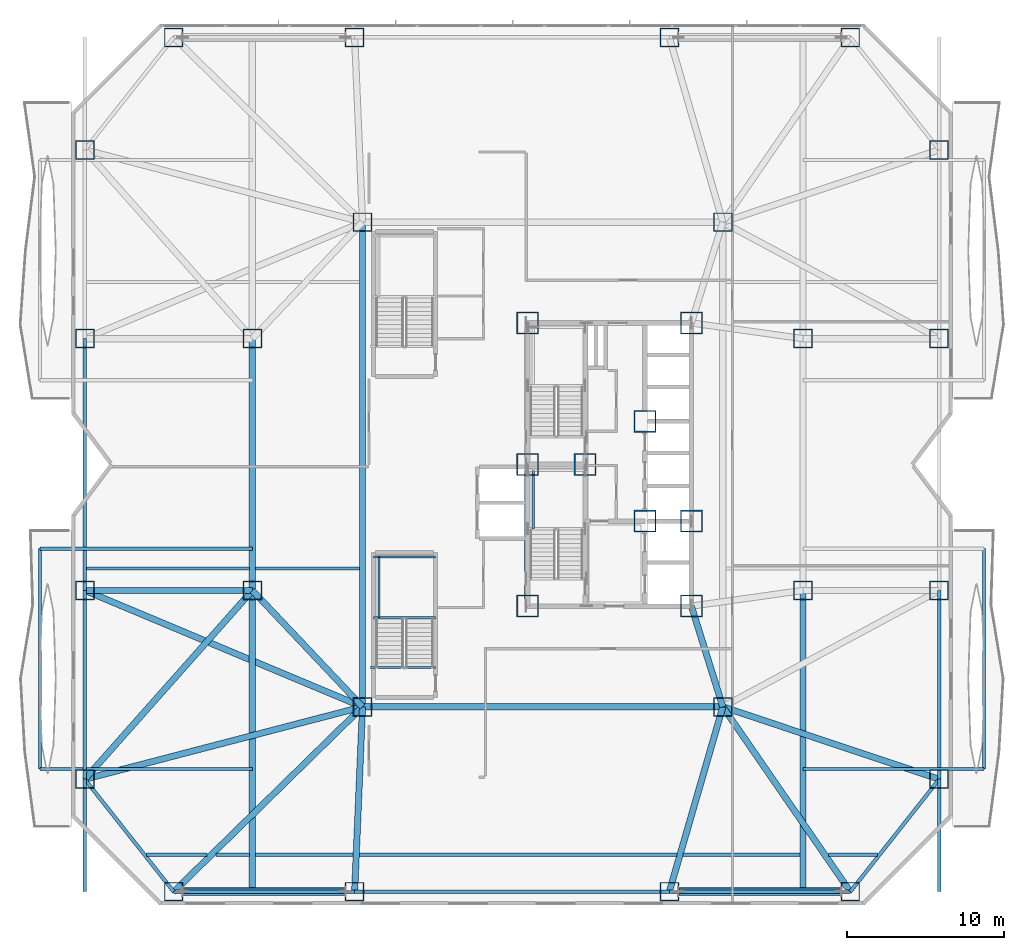
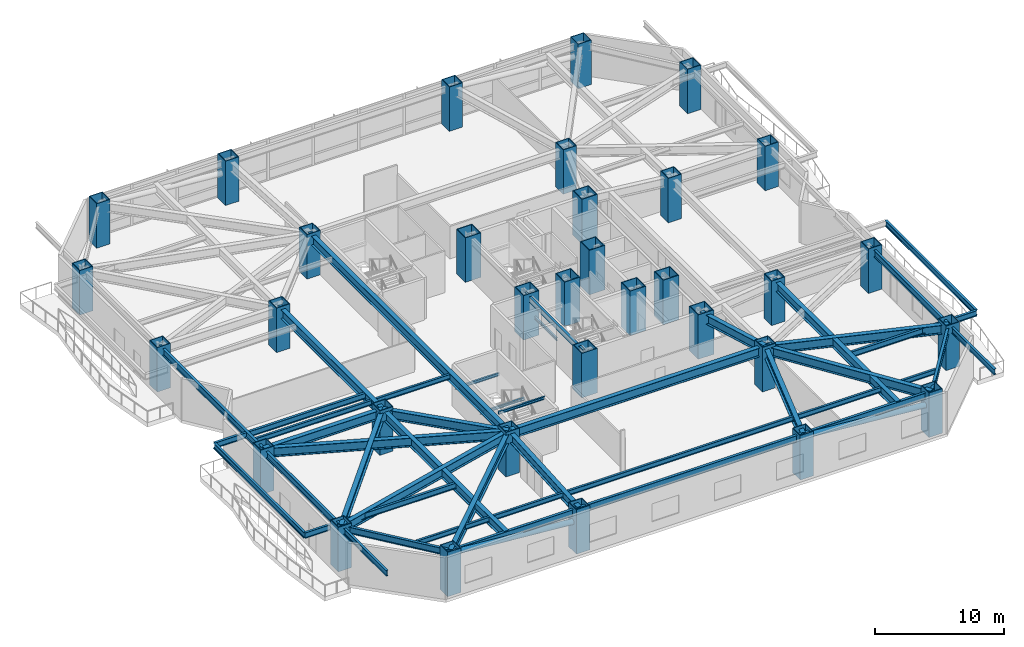
# One storey, part 1 of 25: 45 beams, 33 columns, 2 members.
"""IFC4 building model written with IfcOpenShell, lengths in metres."""

from ifc_helpers import new_model, si_unit, direction, frame, origin, origin_2d, place, context, subcontext, project, spatial, hollow_rectangle, hollow_circle, i_section, extrude, material, material_profile, profile_set, type_object, element, save


model = new_model("IFC4")

# Units and contexts
model_context = context("Model", 3, precision=1e-05, world=origin(), true_north=direction((0.0, 1.0)))
body_context = subcontext(model_context, "Body", "Model", "MODEL_VIEW")
ifc_project = project(units=[si_unit("LENGTHUNIT", "METRE"), si_unit("AREAUNIT", "SQUARE_METRE"), si_unit("VOLUMEUNIT", "CUBIC_METRE"), si_unit("PLANEANGLEUNIT", "RADIAN"), si_unit("MASSUNIT", "GRAM", prefix="KILO")], contexts=[model_context])

# Site, building, storey
site_placement = place(None, origin())
site = spatial("IfcSite", under=ifc_project, at=site_placement, CompositionType="ELEMENT")
building_placement = place(site_placement, origin())
building = spatial("IfcBuilding", under=site, at=building_placement, Name="Khamvora Tower", CompositionType="ELEMENT")
storey_placement = place(building_placement, frame((0.0, 0.0, 16.199951171875)))
storey = spatial("IfcBuildingStorey", under=building, at=storey_placement, Name="L03", CompositionType="ELEMENT", Elevation=16.199951171875)

# Columns
ifc_material_1 = material(Name="Steel S460", Category="steel")
ifc_material_profile_1 = material_profile(ifc_material_1, hollow_rectangle(XDim=1.199951171875, YDim=1.199951171875, WallThickness=0.06005859375, at=origin_2d()), Name="BOX1200x1200x60")
ifc_profile_set_1 = profile_set([ifc_material_profile_1], Name="Steel S460")
column_type_1 = type_object("IfcColumnType", Name="COL-BOX1200", PredefinedType="COLUMN", material=ifc_profile_set_1)
for number, where, z_axis, x_axis, name in (
    (1, (6.5, 0.85009765625, 0.0), (0.0, 0.0, 1.0), (1.0, 0.0, 0.0), "L03 structural frame column P01"),
    (2, (18.0, 0.85009765625, 0.0), (0.0, 0.0, 1.0), (1.0, 0.0, 0.0), "L03 structural frame column P02"),
    (3, (38.0, 0.85009765625, 0.0), (0.0, 0.0, 1.0), (1.0, 0.0, 0.0), "L03 structural frame column P03"),
    (4, (49.5, 0.85009765625, 0.0), (0.0, 0.0, 1.0), (1.0, 0.0, 0.0), "L03 structural frame column P04"),
    (5, (6.5, 55.14990234375, 0.0), (0.0, 0.0, 1.0), (1.0, 0.0, 0.0), "L03 structural frame column P05"),
    (6, (18.0, 55.14990234375, 0.0), (0.0, 0.0, 1.0), (1.0, 0.0, 0.0), "L03 structural frame column P06"),
    (7, (38.0, 55.14990234375, 0.0), (0.0, 0.0, 1.0), (1.0, 0.0, 0.0), "L03 structural frame column P07"),
    (8, (49.5, 55.14990234375, 0.0), (0.0, 0.0, 1.0), (1.0, 0.0, 0.0), "L03 structural frame column P08"),
    (9, (0.85009765625, 8.0, 0.0), (0.0, 0.0, 1.0), (1.0, 0.0, 0.0), "L03 structural frame column P09"),
    (10, (0.85009765625, 20.0, 0.0), (0.0, 0.0, 1.0), (1.0, 0.0, 0.0), "L03 structural frame column P10"),
    (11, (0.85009765625, 36.0, 0.0), (0.0, 0.0, 1.0), (1.0, 0.0, 0.0), "L03 structural frame column P11"),
    (12, (0.85009765625, 48.0, 0.0), (0.0, 0.0, 1.0), (1.0, 0.0, 0.0), "L03 structural frame column P12"),
    (13, (55.14990234375, 8.0, 0.0), (0.0, 0.0, 1.0), (1.0, 0.0, 0.0), "L03 structural frame column P13"),
    (14, (55.14990234375, 20.0, 0.0), (0.0, 0.0, 1.0), (1.0, 0.0, 0.0), "L03 structural frame column P14"),
    (15, (55.14990234375, 36.0, 0.0), (0.0, 0.0, 1.0), (1.0, 0.0, 0.0), "L03 structural frame column P15"),
    (16, (55.14990234375, 48.0, 0.0), (0.0, 0.0, 1.0), (1.0, 0.0, 0.0), "L03 structural frame column P16"),
    (17, (18.5, 12.60009765625, 0.0), (0.0, 0.0, 1.0), (1.0, 0.0, 0.0), "L03 structural frame column P17"),
    (18, (41.39990234375, 12.60009765625, 0.0), (0.0, 0.0, 1.0), (1.0, 0.0, 0.0), "L03 structural frame column P18"),
    (19, (18.5, 43.39990234375, 0.0), (0.0, 0.0, 1.0), (1.0, 0.0, 0.0), "L03 structural frame column P19"),
    (20, (41.39990234375, 43.39990234375, 0.0), (0.0, 0.0, 1.0), (1.0, 0.0, 0.0), "L03 structural frame column P20"),
    (21, (11.5, 20.0, 0.0), (0.0, 0.0, 1.0), (1.0, 0.0, 0.0), "L03 structural frame column P21"),
    (22, (11.5, 36.0, 0.0), (0.0, 0.0, 1.0), (1.0, 0.0, 0.0), "L03 structural frame column P22"),
    (23, (46.5, 20.0, 0.0), (0.0, 0.0, 1.0), (1.0, 0.0, 0.0), "L03 structural frame column P23"),
    (24, (46.5, 36.0, 0.0), (0.0, 0.0, 1.0), (1.0, 0.0, 0.0), "L03 structural frame column P24"),
):
    element("IfcColumn", number, at=place(storey_placement, frame(where, z_axis=z_axis, x_axis=x_axis)), inside=storey, type_object=column_type_1, Name=name, PredefinedType="COLUMN", context=body_context, shape_type="SweptSolid", body=[
        extrude(hollow_rectangle(XDim=1.199951171875, YDim=1.199951171875, WallThickness=0.06005859375, at=origin_2d()), origin(), (0.0, 0.0, 1.0), 4.199951171875),
    ])
ifc_material_profile_2 = material_profile(ifc_material_1, hollow_rectangle(XDim=1.39990234375, YDim=1.39990234375, WallThickness=0.070068359375, at=origin_2d()), Name="BOX1400x1400x70")
ifc_profile_set_2 = profile_set([ifc_material_profile_2], Name="Steel S460")
column_type_2 = type_object("IfcColumnType", Name="COL-BOX1400", PredefinedType="COLUMN", material=ifc_profile_set_2)
for number, where, z_axis, x_axis, name in (
    (25, (29.0, 19.0, 0.0), (0.0, 0.0, 1.0), (1.0, 0.0, 0.0), "L03 plumb core spine column SC1"),
    (26, (32.64990234375, 28.0, 0.0), (0.0, 0.0, 1.0), (1.0, 0.0, 0.0), "L03 plumb core spine column SC2"),
    (27, (39.39990234375, 19.0, 0.0), (0.0, 0.0, 1.0), (1.0, 0.0, 0.0), "L03 plumb core spine column SC3"),
    (28, (29.0, 28.0, 0.0), (0.0, 0.0, 1.0), (1.0, 0.0, 0.0), "L03 plumb core spine column SC4"),
    (29, (36.449951171875, 24.39990234375, 0.0), (0.0, 0.0, 1.0), (1.0, 0.0, 0.0), "L03 plumb core spine column SC5"),
    (30, (39.39990234375, 24.39990234375, 0.0), (0.0, 0.0, 1.0), (1.0, 0.0, 0.0), "L03 plumb core spine column SC6"),
    (31, (29.0, 37.0, 0.0), (0.0, 0.0, 1.0), (1.0, 0.0, 0.0), "L03 plumb core spine column SC7"),
    (32, (36.449951171875, 30.75, 0.0), (0.0, 0.0, 1.0), (1.0, 0.0, 0.0), "L03 plumb core spine column SC8"),
    (33, (39.39990234375, 37.0, 0.0), (0.0, 0.0, 1.0), (1.0, 0.0, 0.0), "L03 plumb core spine column SC9"),
):
    element("IfcColumn", number, at=place(storey_placement, frame(where, z_axis=z_axis, x_axis=x_axis)), inside=storey, type_object=column_type_2, Name=name, PredefinedType="COLUMN", context=body_context, shape_type="SweptSolid", body=[
        extrude(hollow_rectangle(XDim=1.39990234375, YDim=1.39990234375, WallThickness=0.070068359375, at=origin_2d()), origin(), (0.0, 0.0, 1.0), 4.199951171875),
    ])

# Beams
ifc_material_2 = material(Name="Steel S355", Category="steel")
ifc_material_profile_3 = material_profile(ifc_material_2, i_section(OverallWidth=0.19189453125, OverallDepth=0.462890625, WebThickness=0.010986328125, FlangeThickness=0.01806640625, FilletRadius=0.011962890625, at=origin_2d()), Name="W460x89")
ifc_profile_set_3 = profile_set([ifc_material_profile_3], Name="Steel S355")
beam_type_1 = type_object("IfcBeamType", Name="BM-JS-W460x89", PredefinedType="JOIST", material=ifc_profile_set_3)
beam_1_placement = place(storey_placement, frame((4.784912109375, 3.199951171875, 3.68896484375), z_axis=(1.0, 0.0, 0.0), x_axis=(0.0, 1.0, 0.0)))
element("IfcBeam", 34, at=beam_1_placement, inside=storey, type_object=beam_type_1, Name="L03 secondary floor joist 01", PredefinedType="JOIST", context=body_context, shape_type="SweptSolid", body=[
    extrude(i_section(OverallWidth=0.19189453125, OverallDepth=0.462890625, WebThickness=0.010986328125, FlangeThickness=0.01806640625, FilletRadius=0.011962890625, at=origin_2d()), origin(), (0.0, 0.0, 1.0), 3.833984375),
])
beam_2_placement = place(storey_placement, frame((9.180908203125, 3.199951171875, 3.68896484375), z_axis=(1.0, 0.0, 0.0), x_axis=(0.0, 1.0, 0.0)))
element("IfcBeam", 35, at=beam_2_placement, inside=storey, type_object=beam_type_1, Name="L03 secondary floor joist 02", PredefinedType="JOIST", context=body_context, shape_type="SweptSolid", body=[
    extrude(i_section(OverallWidth=0.19189453125, OverallDepth=0.462890625, WebThickness=0.010986328125, FlangeThickness=0.01806640625, FilletRadius=0.011962890625, at=origin_2d()), origin(), (0.0, 0.0, 1.0), 2.1240234375),
])
beam_3_placement = place(storey_placement, frame((11.695068359375, 3.199951171875, 3.68896484375), z_axis=(1.0, 0.0, 0.0), x_axis=(0.0, 1.0, 0.0)))
element("IfcBeam", 36, at=beam_3_placement, inside=storey, type_object=beam_type_1, Name="L03 secondary floor joist 03", PredefinedType="JOIST", context=body_context, shape_type="SweptSolid", body=[
    extrude(i_section(OverallWidth=0.19189453125, OverallDepth=0.462890625, WebThickness=0.010986328125, FlangeThickness=0.01806640625, FilletRadius=0.011962890625, at=origin_2d()), origin(), (0.0, 0.0, 1.0), 6.2099609375),
])
beam_4_placement = place(storey_placement, frame((18.294921875, 3.199951171875, 3.68896484375), z_axis=(1.0, 0.0, 0.0), x_axis=(0.0, 1.0, 0.0)))
element("IfcBeam", 37, at=beam_4_placement, inside=storey, type_object=beam_type_1, Name="L03 secondary floor joist 04", PredefinedType="JOIST", context=body_context, shape_type="SweptSolid", body=[
    extrude(i_section(OverallWidth=0.19189453125, OverallDepth=0.462890625, WebThickness=0.010986328125, FlangeThickness=0.01806640625, FilletRadius=0.011962890625, at=origin_2d()), origin(), (0.0, 0.0, 1.0), 20.18212890625),
])
beam_5_placement = place(storey_placement, frame((38.883056640625, 3.199951171875, 3.68896484375), z_axis=(1.0, 0.0, 0.0), x_axis=(0.0, 1.0, 0.0)))
element("IfcBeam", 38, at=beam_5_placement, inside=storey, type_object=beam_type_1, Name="L03 secondary floor joist 05", PredefinedType="JOIST", context=body_context, shape_type="SweptSolid", body=[
    extrude(i_section(OverallWidth=0.19189453125, OverallDepth=0.462890625, WebThickness=0.010986328125, FlangeThickness=0.01806640625, FilletRadius=0.011962890625, at=origin_2d()), origin(), (0.0, 0.0, 1.0), 7.421875),
])
beam_6_placement = place(storey_placement, frame((48.117919921875, 3.199951171875, 3.68896484375), z_axis=(1.0, 0.0, 0.0), x_axis=(0.0, 1.0, 0.0)))
element("IfcBeam", 39, at=beam_6_placement, inside=storey, type_object=beam_type_1, Name="L03 secondary floor joist 06", PredefinedType="JOIST", context=body_context, shape_type="SweptSolid", body=[
    extrude(i_section(OverallWidth=0.19189453125, OverallDepth=0.462890625, WebThickness=0.010986328125, FlangeThickness=0.01806640625, FilletRadius=0.011962890625, at=origin_2d()), origin(), (0.0, 0.0, 1.0), 3.09716796875),
])
beam_7_placement = place(storey_placement, frame((0.9599609375, 21.39990234375, 3.68896484375), z_axis=(1.0, 0.0, 0.0), x_axis=(0.0, 1.0, 0.0)))
element("IfcBeam", 40, at=beam_7_placement, inside=storey, type_object=beam_type_1, Name="L03 secondary floor joist 07", PredefinedType="JOIST", context=body_context, shape_type="SweptSolid", body=[
    extrude(i_section(OverallWidth=0.19189453125, OverallDepth=0.462890625, WebThickness=0.010986328125, FlangeThickness=0.01806640625, FilletRadius=0.011962890625, at=origin_2d()), origin(), (0.0, 0.0, 1.0), 10.344970703125),
])
beam_8_placement = place(storey_placement, frame((11.695068359375, 21.39990234375, 3.68896484375), z_axis=(1.0, 0.0, 0.0), x_axis=(0.0, 1.0, 0.0)))
element("IfcBeam", 41, at=beam_8_placement, inside=storey, type_object=beam_type_1, Name="L03 secondary floor joist 08", PredefinedType="JOIST", context=body_context, shape_type="SweptSolid", body=[
    extrude(i_section(OverallWidth=0.19189453125, OverallDepth=0.462890625, WebThickness=0.010986328125, FlangeThickness=0.01806640625, FilletRadius=0.011962890625, at=origin_2d()), origin(), (0.0, 0.0, 1.0), 6.60986328125),
])
ifc_material_profile_4 = material_profile(ifc_material_2, i_section(OverallWidth=0.14697265625, OverallDepth=0.261962890625, WebThickness=0.007080078125, FlangeThickness=0.010986328125, FilletRadius=0.008056640625, at=origin_2d()), Name="W250x39")
ifc_profile_set_4 = profile_set([ifc_material_profile_4], Name="Steel S355")
beam_type_2 = type_object("IfcBeamType", Name="BM-LN-W250x39", PredefinedType="LINTEL", material=ifc_profile_set_4)
beam_9_placement = place(storey_placement, frame((29.35009765625, 23.9150390625, 1.76904296875), z_axis=(0.0, 1.0, 0.0), x_axis=(-1.0, 0.0, 0.0)))
element("IfcBeam", 42, at=beam_9_placement, inside=storey, type_object=beam_type_2, Name="L03 ST-01 half-landing edge stringer 1", PredefinedType="LINTEL", context=body_context, shape_type="SweptSolid", body=[
    extrude(i_section(OverallWidth=0.14697265625, OverallDepth=0.261962890625, WebThickness=0.007080078125, FlangeThickness=0.010986328125, FilletRadius=0.008056640625, at=origin_2d()), origin(), (0.0, 0.0, 1.0), 3.71484375),
])
for number, where, z_axis, x_axis, name in (
    (43, (19.199951171875, 18.264892578125, 1.76904296875), (1.0, 0.0, 0.0), (0.0, 1.0, 0.0), "L03 ST-03 half-landing support beam 1.1"),
    (44, (19.199951171875, 22.1298828125, 1.76904296875), (1.0, 0.0, 0.0), (0.0, 1.0, 0.0), "L03 ST-03 half-landing support beam 1.2"),
):
    element("IfcBeam", number, at=place(storey_placement, frame(where, z_axis=z_axis, x_axis=x_axis)), inside=storey, type_object=beam_type_2, Name=name, PredefinedType="LINTEL", context=body_context, shape_type="SweptSolid", body=[
        extrude(i_section(OverallWidth=0.14697265625, OverallDepth=0.261962890625, WebThickness=0.007080078125, FlangeThickness=0.010986328125, FilletRadius=0.008056640625, at=origin_2d()), origin(), (0.0, 0.0, 1.0), 3.949951171875),
    ])
beam_10_placement = place(storey_placement, frame((19.550048828125, 18.264892578125, 1.76904296875), z_axis=(0.0, 1.0, 0.0), x_axis=(-1.0, 0.0, 0.0)))
element("IfcBeam", 45, at=beam_10_placement, inside=storey, type_object=beam_type_2, Name="L03 ST-03 half-landing edge stringer 1", PredefinedType="LINTEL", context=body_context, shape_type="SweptSolid", body=[
    extrude(i_section(OverallWidth=0.14697265625, OverallDepth=0.261962890625, WebThickness=0.007080078125, FlangeThickness=0.010986328125, FilletRadius=0.008056640625, at=origin_2d()), origin(), (0.0, 0.0, 1.0), 3.864990234375),
])
beam_11_placement = place(storey_placement, frame((19.0, 15.10009765625, 3.7939453125), z_axis=(1.0, 0.0, 0.0), x_axis=(0.0, 1.0, 0.0)))
element("IfcBeam", 46, at=beam_11_placement, inside=storey, type_object=beam_type_2, Name="L03 podium stair ST03 landing trimmer beam", PredefinedType="LINTEL", context=body_context, shape_type="SweptSolid", body=[
    extrude(i_section(OverallWidth=0.14697265625, OverallDepth=0.261962890625, WebThickness=0.007080078125, FlangeThickness=0.010986328125, FilletRadius=0.008056640625, at=origin_2d()), origin(), (0.0, 0.0, 1.0), 4.14990234375),
])
ifc_material_profile_5 = material_profile(ifc_material_2, i_section(OverallWidth=0.39990234375, OverallDepth=0.85498046875, WebThickness=0.01806640625, FlangeThickness=0.029052734375, FilletRadius=0.01806640625, at=origin_2d()), Name="W840x299")
ifc_profile_set_5 = profile_set([ifc_material_profile_5], Name="Steel S355")
beam_type_3 = type_object("IfcBeamType", Name="BM-PG-W840x299", PredefinedType="BEAM", material=ifc_profile_set_5)
beam_12_placement = place(storey_placement, frame((18.5, 12.60009765625, 3.4931640625), z_axis=(0.0, 1.0, 0.0), x_axis=(-1.0, 0.0, 0.0)))
element("IfcBeam", 47, at=beam_12_placement, inside=storey, type_object=beam_type_3, Name="L03 longitudinal frame girder P17-P19", PredefinedType="BEAM", context=body_context, shape_type="SweptSolid", body=[
    extrude(i_section(OverallWidth=0.39990234375, OverallDepth=0.85498046875, WebThickness=0.01806640625, FlangeThickness=0.029052734375, FilletRadius=0.01806640625, at=origin_2d()), origin(), (0.0, 0.0, 1.0), 30.7998046875),
])
beam_13_placement = place(storey_placement, frame((18.5, 12.60009765625, 3.4931640625), z_axis=(1.0, 0.0, 0.0), x_axis=(0.0, 1.0, 0.0)))
element("IfcBeam", 48, at=beam_13_placement, inside=storey, type_object=beam_type_3, Name="L03 longitudinal frame girder P17-P18", PredefinedType="BEAM", context=body_context, shape_type="SweptSolid", body=[
    extrude(i_section(OverallWidth=0.39990234375, OverallDepth=0.85498046875, WebThickness=0.01806640625, FlangeThickness=0.029052734375, FilletRadius=0.01806640625, at=origin_2d()), origin(), (0.0, 0.0, 1.0), 22.89990234375),
])
beam_14_placement = place(storey_placement, frame((11.5, 20.0, 3.4931640625), z_axis=(0.0, 1.0, 0.0), x_axis=(-1.0, 0.0, 0.0)))
element("IfcBeam", 49, at=beam_14_placement, inside=storey, type_object=beam_type_3, Name="L03 longitudinal frame girder P21-P22", PredefinedType="BEAM", context=body_context, shape_type="SweptSolid", body=[
    extrude(i_section(OverallWidth=0.39990234375, OverallDepth=0.85498046875, WebThickness=0.01806640625, FlangeThickness=0.029052734375, FilletRadius=0.01806640625, at=origin_2d()), origin(), (0.0, 0.0, 1.0), 16.0),
])
beam_15_placement = place(storey_placement, frame((18.5, 12.60009765625, 3.4931640625), z_axis=(-0.714510426493, -0.699624792608, 0.0), x_axis=(0.699624792608, -0.714510426493, 0.0)))
element("IfcBeam", 50, at=beam_15_placement, inside=storey, type_object=beam_type_3, Name="L03 primary floor girder P01", PredefinedType="BEAM", context=body_context, shape_type="SweptSolid", body=[
    extrude(i_section(OverallWidth=0.39990234375, OverallDepth=0.85498046875, WebThickness=0.01806640625, FlangeThickness=0.029052734375, FilletRadius=0.01806640625, at=origin_2d()), origin(), (0.0, 0.0, 1.0), 16.794677734375),
])
beam_16_placement = place(storey_placement, frame((18.5, 12.60009765625, 3.4931640625), z_axis=(-0.042514716625, -0.999095840683, 0.0), x_axis=(0.999095840683, -0.042514716625, 0.0)))
element("IfcBeam", 51, at=beam_16_placement, inside=storey, type_object=beam_type_3, Name="L03 primary floor girder P02", PredefinedType="BEAM", context=body_context, shape_type="SweptSolid", body=[
    extrude(i_section(OverallWidth=0.39990234375, OverallDepth=0.85498046875, WebThickness=0.01806640625, FlangeThickness=0.029052734375, FilletRadius=0.01806640625, at=origin_2d()), origin(), (0.0, 0.0, 1.0), 11.7607421875),
])
beam_17_placement = place(storey_placement, frame((41.39990234375, 12.60009765625, 3.4931640625), z_axis=(-0.277951455854, -0.960595121885, 0.0), x_axis=(0.960595121885, -0.277951455854, 0.0)))
element("IfcBeam", 52, at=beam_17_placement, inside=storey, type_object=beam_type_3, Name="L03 primary floor girder P03", PredefinedType="BEAM", context=body_context, shape_type="SweptSolid", body=[
    extrude(i_section(OverallWidth=0.39990234375, OverallDepth=0.85498046875, WebThickness=0.01806640625, FlangeThickness=0.029052734375, FilletRadius=0.01806640625, at=origin_2d()), origin(), (0.0, 0.0, 1.0), 12.23193359375),
])
beam_18_placement = place(storey_placement, frame((41.39990234375, 12.60009765625, 3.4931640625), z_axis=(0.567573841069, -0.823322497527, 0.0), x_axis=(0.823322497527, 0.567573841069, 0.0)))
element("IfcBeam", 53, at=beam_18_placement, inside=storey, type_object=beam_type_3, Name="L03 primary floor girder P04", PredefinedType="BEAM", context=body_context, shape_type="SweptSolid", body=[
    extrude(i_section(OverallWidth=0.39990234375, OverallDepth=0.85498046875, WebThickness=0.01806640625, FlangeThickness=0.029052734375, FilletRadius=0.01806640625, at=origin_2d()), origin(), (0.0, 0.0, 1.0), 14.271484375),
])
beam_19_placement = place(storey_placement, frame((11.5, 20.0, 3.4931640625), z_axis=(-0.6637799472, -0.747927925468, 0.0), x_axis=(0.747927925468, -0.6637799472, 0.0)))
element("IfcBeam", 54, at=beam_19_placement, inside=storey, type_object=beam_type_3, Name="L03 primary floor girder P09", PredefinedType="BEAM", context=body_context, shape_type="SweptSolid", body=[
    extrude(i_section(OverallWidth=0.39990234375, OverallDepth=0.85498046875, WebThickness=0.01806640625, FlangeThickness=0.029052734375, FilletRadius=0.01806640625, at=origin_2d()), origin(), (0.0, 0.0, 1.0), 16.04443359375),
])
beam_20_placement = place(storey_placement, frame((11.5, 20.0, 3.4931640625), z_axis=(-1.0, 0.0, 0.0), x_axis=(0.0, -1.0, 0.0)))
element("IfcBeam", 55, at=beam_20_placement, inside=storey, type_object=beam_type_3, Name="L03 primary floor girder P10", PredefinedType="BEAM", context=body_context, shape_type="SweptSolid", body=[
    extrude(i_section(OverallWidth=0.39990234375, OverallDepth=0.85498046875, WebThickness=0.01806640625, FlangeThickness=0.029052734375, FilletRadius=0.01806640625, at=origin_2d()), origin(), (0.0, 0.0, 1.0), 10.64990234375),
])
beam_21_placement = place(storey_placement, frame((41.39990234375, 12.60009765625, 3.4931640625), z_axis=(0.948335857324, -0.31726818579, 0.0), x_axis=(0.31726818579, 0.948335857324, 0.0)))
element("IfcBeam", 56, at=beam_21_placement, inside=storey, type_object=beam_type_3, Name="L03 primary floor girder P13", PredefinedType="BEAM", context=body_context, shape_type="SweptSolid", body=[
    extrude(i_section(OverallWidth=0.39990234375, OverallDepth=0.85498046875, WebThickness=0.01806640625, FlangeThickness=0.029052734375, FilletRadius=0.01806640625, at=origin_2d()), origin(), (0.0, 0.0, 1.0), 14.4990234375),
])
beam_22_placement = place(storey_placement, frame((39.39990234375, 19.0, 3.4931640625), z_axis=(0.298279139585, -0.95447868226, 0.0), x_axis=(0.95447868226, 0.298279139585, 0.0)))
element("IfcBeam", 57, at=beam_22_placement, inside=storey, type_object=beam_type_3, Name="L03 primary floor girder P18", PredefinedType="BEAM", context=body_context, shape_type="SweptSolid", body=[
    extrude(i_section(OverallWidth=0.39990234375, OverallDepth=0.85498046875, WebThickness=0.01806640625, FlangeThickness=0.029052734375, FilletRadius=0.01806640625, at=origin_2d()), origin(), (0.0, 0.0, 1.0), 6.705078125),
])
beam_23_placement = place(storey_placement, frame((18.5, 12.60009765625, 3.4931640625), z_axis=(-0.687204640029, 0.726463889483, 0.0), x_axis=(-0.726463889483, -0.687204640029, 0.0)))
element("IfcBeam", 58, at=beam_23_placement, inside=storey, type_object=beam_type_3, Name="L03 primary floor girder P21", PredefinedType="BEAM", context=body_context, shape_type="SweptSolid", body=[
    extrude(i_section(OverallWidth=0.39990234375, OverallDepth=0.85498046875, WebThickness=0.01806640625, FlangeThickness=0.029052734375, FilletRadius=0.01806640625, at=origin_2d()), origin(), (0.0, 0.0, 1.0), 10.186279296875),
])
beam_24_placement = place(storey_placement, frame((46.5, 0.85009765625, 3.4931640625), z_axis=(0.0, 1.0, 0.0), x_axis=(-1.0, 0.0, 0.0)))
element("IfcBeam", 59, at=beam_24_placement, inside=storey, type_object=beam_type_3, Name="L03 gallery collector girder E.1", PredefinedType="BEAM", context=body_context, shape_type="SweptSolid", body=[
    extrude(i_section(OverallWidth=0.39990234375, OverallDepth=0.85498046875, WebThickness=0.01806640625, FlangeThickness=0.029052734375, FilletRadius=0.01806640625, at=origin_2d()), origin(), (0.0, 0.0, 1.0), 19.14990234375),
])
beam_25_placement = place(storey_placement, frame((0.85009765625, 8.0, 3.4931640625), z_axis=(0.967673821538, 0.252205025942, 0.0), x_axis=(-0.252205025942, 0.967673821538, 0.0)))
element("IfcBeam", 60, at=beam_25_placement, inside=storey, type_object=beam_type_3, Name="L03 west plinth tie girder 1", PredefinedType="BEAM", context=body_context, shape_type="SweptSolid", body=[
    extrude(i_section(OverallWidth=0.39990234375, OverallDepth=0.85498046875, WebThickness=0.01806640625, FlangeThickness=0.029052734375, FilletRadius=0.01806640625, at=origin_2d()), origin(), (0.0, 0.0, 1.0), 18.239501953125),
])
beam_26_placement = place(storey_placement, frame((0.85009765625, 20.0, 3.4931640625), z_axis=(0.922225491396, -0.386652483529, 0.0), x_axis=(0.386652483529, 0.922225491396, 0.0)))
element("IfcBeam", 61, at=beam_26_placement, inside=storey, type_object=beam_type_3, Name="L03 west plinth tie girder 2", PredefinedType="BEAM", context=body_context, shape_type="SweptSolid", body=[
    extrude(i_section(OverallWidth=0.39990234375, OverallDepth=0.85498046875, WebThickness=0.01806640625, FlangeThickness=0.029052734375, FilletRadius=0.01806640625, at=origin_2d()), origin(), (0.0, 0.0, 1.0), 19.138427734375),
])
beam_27_placement = place(storey_placement, frame((11.5, 0.85009765625, 3.4931640625), z_axis=(0.0, 1.0, 0.0), x_axis=(-1.0, 0.0, 0.0)))
element("IfcBeam", 62, at=beam_27_placement, inside=storey, type_object=beam_type_3, Name="L03 gallery collector girder W.1", PredefinedType="BEAM", context=body_context, shape_type="SweptSolid", body=[
    extrude(i_section(OverallWidth=0.39990234375, OverallDepth=0.85498046875, WebThickness=0.01806640625, FlangeThickness=0.029052734375, FilletRadius=0.01806640625, at=origin_2d()), origin(), (0.0, 0.0, 1.0), 19.14990234375),
])
ifc_material_profile_6 = material_profile(ifc_material_2, i_section(OverallWidth=0.2119140625, OverallDepth=0.5439453125, WebThickness=0.012939453125, FlangeThickness=0.02099609375, FilletRadius=0.013916015625, at=origin_2d()), Name="W530x123")
ifc_profile_set_6 = profile_set([ifc_material_profile_6], Name="Steel S355")
beam_type_4 = type_object("IfcBeamType", Name="BM-SP-W530x123", PredefinedType="SPANDREL", material=ifc_profile_set_6)
for number, where, z_axis, x_axis, name in (
    (63, (55.14990234375, 0.85009765625, 3.64794921875), (0.0, 1.0, 0.0), (-1.0, 0.0, 0.0), "L03 E perimeter edge spandrel 1"),
    (64, (0.85009765625, 0.85009765625, 3.64794921875), (0.0, 1.0, 0.0), (-1.0, 0.0, 0.0), "L03 W perimeter edge spandrel 1"),
):
    element("IfcBeam", number, at=place(storey_placement, frame(where, z_axis=z_axis, x_axis=x_axis)), inside=storey, type_object=beam_type_4, Name=name, PredefinedType="SPANDREL", context=body_context, shape_type="SweptSolid", body=[
        extrude(i_section(OverallWidth=0.2119140625, OverallDepth=0.5439453125, WebThickness=0.012939453125, FlangeThickness=0.02099609375, FilletRadius=0.013916015625, at=origin_2d()), origin(), (0.0, 0.0, 1.0), 7.14990234375),
    ])
ifc_material_profile_7 = material_profile(ifc_material_2, i_section(OverallWidth=0.208984375, OverallDepth=0.532958984375, WebThickness=0.010009765625, FlangeThickness=0.01611328125, FilletRadius=0.013916015625, at=origin_2d()), Name="W530x92")
ifc_profile_set_7 = profile_set([ifc_material_profile_7], Name="Steel S355")
beam_type_5 = type_object("IfcBeamType", Name="BM-SP-W530x92", PredefinedType="SPANDREL", material=ifc_profile_set_7)
beam_28_placement = place(storey_placement, frame((28.89990234375, 19.0, 3.654052734375), z_axis=(0.0, 1.0, 0.0), x_axis=(-1.0, 0.0, 0.0)))
element("IfcBeam", 65, at=beam_28_placement, inside=storey, type_object=beam_type_5, Name="L03 core spine girder WS", PredefinedType="SPANDREL", context=body_context, shape_type="SweptSolid", body=[
    extrude(i_section(OverallWidth=0.208984375, OverallDepth=0.532958984375, WebThickness=0.010009765625, FlangeThickness=0.01611328125, FilletRadius=0.013916015625, at=origin_2d()), origin(), (0.0, 0.0, 1.0), 9.0),
])
beam_29_placement = place(storey_placement, frame((46.5, 8.64990234375, 3.512939453125), z_axis=(1.0, 0.0, 0.0), x_axis=(0.0, 1.0, 0.0)))
element("IfcBeam", 66, at=beam_29_placement, inside=storey, type_object=beam_type_5, Name="L03 continuous gallery cantilever girder L04-EL1-1", PredefinedType="SPANDREL", context=body_context, shape_type="SweptSolid", body=[
    extrude(i_section(OverallWidth=0.208984375, OverallDepth=0.532958984375, WebThickness=0.010009765625, FlangeThickness=0.01611328125, FilletRadius=0.013916015625, at=origin_2d()), origin(), (0.0, 0.0, 1.0), 11.5),
])
beam_30_placement = place(storey_placement, frame((58.0, 8.64990234375, 3.512939453125), z_axis=(0.0, 1.0, 0.0), x_axis=(-1.0, 0.0, 0.0)))
element("IfcBeam", 67, at=beam_30_placement, inside=storey, type_object=beam_type_5, Name="L03 external gallery edge header beam L04-EL1", PredefinedType="SPANDREL", context=body_context, shape_type="SweptSolid", body=[
    extrude(i_section(OverallWidth=0.208984375, OverallDepth=0.532958984375, WebThickness=0.010009765625, FlangeThickness=0.01611328125, FilletRadius=0.013916015625, at=origin_2d()), origin(), (0.0, 0.0, 1.0), 14.0),
])
for number, where, z_axis, x_axis, name in (
    (68, (11.5, 8.64990234375, 3.512939453125), (-1.0, 0.0, 0.0), (0.0, -1.0, 0.0), "L03 continuous gallery cantilever girder L04-WL1-1"),
    (69, (11.5, 22.64990234375, 3.512939453125), (-1.0, 0.0, 0.0), (0.0, -1.0, 0.0), "L03 continuous gallery cantilever girder L04-WL1-2"),
):
    element("IfcBeam", number, at=place(storey_placement, frame(where, z_axis=z_axis, x_axis=x_axis)), inside=storey, type_object=beam_type_5, Name=name, PredefinedType="SPANDREL", context=body_context, shape_type="SweptSolid", body=[
        extrude(i_section(OverallWidth=0.208984375, OverallDepth=0.532958984375, WebThickness=0.010009765625, FlangeThickness=0.01611328125, FilletRadius=0.013916015625, at=origin_2d()), origin(), (0.0, 0.0, 1.0), 13.5),
    ])
beam_31_placement = place(storey_placement, frame((-2.0, 8.64990234375, 3.512939453125), z_axis=(0.0, 1.0, 0.0), x_axis=(-1.0, 0.0, 0.0)))
element("IfcBeam", 70, at=beam_31_placement, inside=storey, type_object=beam_type_5, Name="L03 external gallery edge header beam L04-WL1", PredefinedType="SPANDREL", context=body_context, shape_type="SweptSolid", body=[
    extrude(i_section(OverallWidth=0.208984375, OverallDepth=0.532958984375, WebThickness=0.010009765625, FlangeThickness=0.01611328125, FilletRadius=0.013916015625, at=origin_2d()), origin(), (0.0, 0.0, 1.0), 14.0),
])
ifc_material_profile_8 = material_profile(ifc_material_2, i_section(OverallWidth=0.22998046875, OverallDepth=0.616943359375, WebThickness=0.012939453125, FlangeThickness=0.02197265625, FilletRadius=0.013916015625, at=origin_2d()), Name="W610x140")
ifc_profile_set_8 = profile_set([ifc_material_profile_8], Name="Steel S355")
beam_type_6 = type_object("IfcBeamType", Name="BM-SP-W610x140", PredefinedType="SPANDREL", material=ifc_profile_set_8)
beam_32_placement = place(storey_placement, frame((0.85009765625, 20.0, 3.612060546875), z_axis=(0.0, -1.0, 0.0), x_axis=(1.0, 0.0, 0.0)))
element("IfcBeam", 71, at=beam_32_placement, inside=storey, type_object=beam_type_6, Name="L03 perimeter spandrel beam P10-P09", PredefinedType="SPANDREL", context=body_context, shape_type="SweptSolid", body=[
    extrude(i_section(OverallWidth=0.22998046875, OverallDepth=0.616943359375, WebThickness=0.012939453125, FlangeThickness=0.02197265625, FilletRadius=0.013916015625, at=origin_2d()), origin(), (0.0, 0.0, 1.0), 12.0),
])
beam_33_placement = place(storey_placement, frame((0.85009765625, 8.0, 3.612060546875), z_axis=(0.619998635429, -0.784602888133, 0.0), x_axis=(0.784602888133, 0.619998635429, 0.0)))
element("IfcBeam", 72, at=beam_33_placement, inside=storey, type_object=beam_type_6, Name="L03 perimeter spandrel beam P09-P01", PredefinedType="SPANDREL", context=body_context, shape_type="SweptSolid", body=[
    extrude(i_section(OverallWidth=0.22998046875, OverallDepth=0.616943359375, WebThickness=0.012939453125, FlangeThickness=0.02197265625, FilletRadius=0.013916015625, at=origin_2d()), origin(), (0.0, 0.0, 1.0), 9.11279296875),
])
beam_34_placement = place(storey_placement, frame((6.5, 0.85009765625, 3.612060546875), z_axis=(1.0, 0.0, 0.0), x_axis=(0.0, 1.0, 0.0)))
element("IfcBeam", 73, at=beam_34_placement, inside=storey, type_object=beam_type_6, Name="L03 perimeter spandrel beam P01-P02", PredefinedType="SPANDREL", context=body_context, shape_type="SweptSolid", body=[
    extrude(i_section(OverallWidth=0.22998046875, OverallDepth=0.616943359375, WebThickness=0.012939453125, FlangeThickness=0.02197265625, FilletRadius=0.013916015625, at=origin_2d()), origin(), (0.0, 0.0, 1.0), 11.5),
])
beam_35_placement = place(storey_placement, frame((18.0, 0.85009765625, 3.612060546875), z_axis=(1.0, 0.0, 0.0), x_axis=(0.0, 1.0, 0.0)))
element("IfcBeam", 74, at=beam_35_placement, inside=storey, type_object=beam_type_6, Name="L03 perimeter spandrel beam P02-P03", PredefinedType="SPANDREL", context=body_context, shape_type="SweptSolid", body=[
    extrude(i_section(OverallWidth=0.22998046875, OverallDepth=0.616943359375, WebThickness=0.012939453125, FlangeThickness=0.02197265625, FilletRadius=0.013916015625, at=origin_2d()), origin(), (0.0, 0.0, 1.0), 20.0),
])
beam_36_placement = place(storey_placement, frame((38.0, 0.85009765625, 3.612060546875), z_axis=(1.0, 0.0, 0.0), x_axis=(0.0, 1.0, 0.0)))
element("IfcBeam", 75, at=beam_36_placement, inside=storey, type_object=beam_type_6, Name="L03 perimeter spandrel beam P03-P04", PredefinedType="SPANDREL", context=body_context, shape_type="SweptSolid", body=[
    extrude(i_section(OverallWidth=0.22998046875, OverallDepth=0.616943359375, WebThickness=0.012939453125, FlangeThickness=0.02197265625, FilletRadius=0.013916015625, at=origin_2d()), origin(), (0.0, 0.0, 1.0), 11.5),
])
beam_37_placement = place(storey_placement, frame((49.5, 0.85009765625, 3.612060546875), z_axis=(0.619998635429, 0.784602888133, 0.0), x_axis=(-0.784602888133, 0.619998635429, 0.0)))
element("IfcBeam", 76, at=beam_37_placement, inside=storey, type_object=beam_type_6, Name="L03 perimeter spandrel beam P04-P13", PredefinedType="SPANDREL", context=body_context, shape_type="SweptSolid", body=[
    extrude(i_section(OverallWidth=0.22998046875, OverallDepth=0.616943359375, WebThickness=0.012939453125, FlangeThickness=0.02197265625, FilletRadius=0.013916015625, at=origin_2d()), origin(), (0.0, 0.0, 1.0), 9.11279296875),
])
beam_38_placement = place(storey_placement, frame((55.14990234375, 8.0, 3.612060546875), z_axis=(0.0, 1.0, 0.0), x_axis=(-1.0, 0.0, 0.0)))
element("IfcBeam", 77, at=beam_38_placement, inside=storey, type_object=beam_type_6, Name="L03 perimeter spandrel beam P13-P14", PredefinedType="SPANDREL", context=body_context, shape_type="SweptSolid", body=[
    extrude(i_section(OverallWidth=0.22998046875, OverallDepth=0.616943359375, WebThickness=0.012939453125, FlangeThickness=0.02197265625, FilletRadius=0.013916015625, at=origin_2d()), origin(), (0.0, 0.0, 1.0), 12.0),
])
beam_39_placement = place(storey_placement, frame((0.85009765625, 36.0, 3.612060546875), z_axis=(0.0, -1.0, 0.0), x_axis=(1.0, 0.0, 0.0)))
element("IfcBeam", 78, at=beam_39_placement, inside=storey, type_object=beam_type_6, Name="L03 perimeter spandrel beam P11-P10", PredefinedType="SPANDREL", context=body_context, shape_type="SweptSolid", body=[
    extrude(i_section(OverallWidth=0.22998046875, OverallDepth=0.616943359375, WebThickness=0.012939453125, FlangeThickness=0.02197265625, FilletRadius=0.013916015625, at=origin_2d()), origin(), (0.0, 0.0, 1.0), 16.0),
])

# Members
ifc_material_profile_9 = material_profile(ifc_material_1, hollow_circle(Radius=0.25390625, WallThickness=0.02490234375, at=origin_2d()), Name="CHS508x25")
ifc_profile_set_9 = profile_set([ifc_material_profile_9], Name="Steel S460")
member_type = type_object("IfcMemberType", Name="MEM-BR-CHS508", PredefinedType="BRACE", material=ifc_profile_set_9)
for number, where, z_axis, x_axis, name in (
    (79, (17.422119140625, 0.85009765625, 2.72705078125), (-0.996735497973, 0.0, 0.080736281072), (0.0, -1.0, 0.0), "L03 perimeter wind brace 1"),
    (80, (48.922119140625, 0.85009765625, 2.72705078125), (-0.996735497973, 0.0, 0.080736281072), (0.0, -1.0, 0.0), "L03 perimeter wind brace 2"),
):
    element("IfcMember", number, at=place(storey_placement, frame(where, z_axis=z_axis, x_axis=x_axis)), inside=storey, type_object=member_type, Name=name, PredefinedType="BRACE", context=body_context, shape_type="SweptSolid", body=[
        extrude(hollow_circle(Radius=0.25390625, WallThickness=0.02490234375, at=origin_2d()), origin(), (0.0, 0.0, 1.0), 10.378173828125),
    ])

save(model, "model.ifc")
